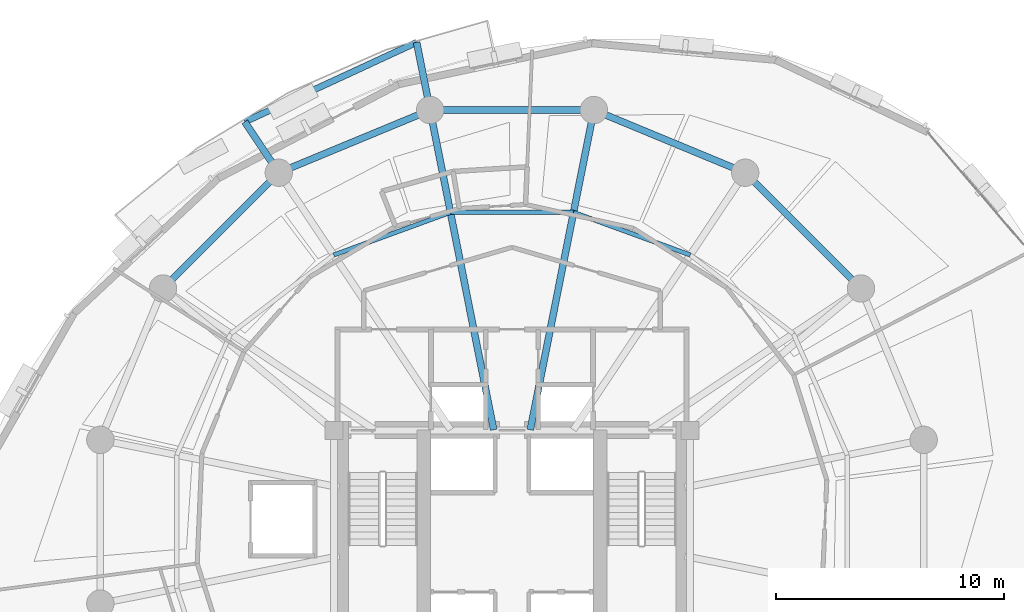
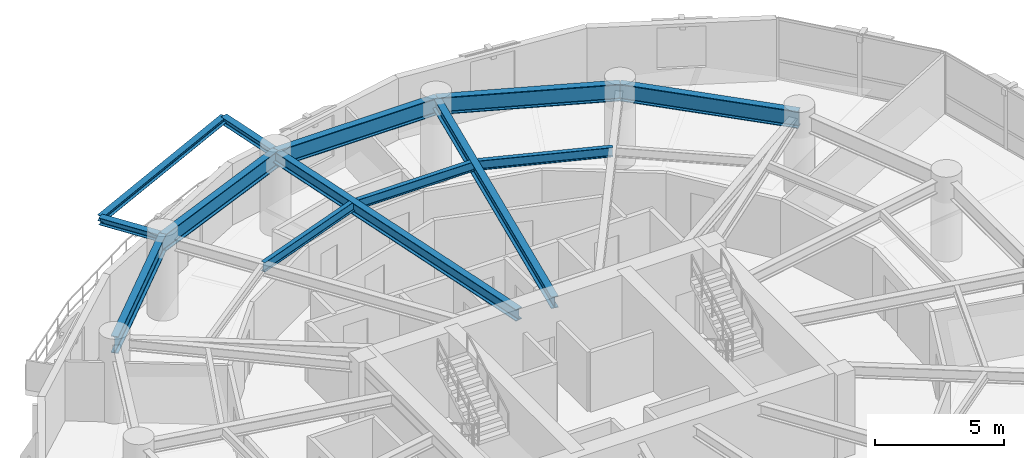
# One storey, part 7 of 14: 13 beams.
"""IFC4 building model written with IfcOpenShell, lengths in metres."""

from ifc_helpers import new_model, si_unit, direction, frame, origin, origin_2d, place, context, subcontext, project, spatial, i_section, extrude, material, material_profile, profile_set, type_object, element, save


model = new_model("IFC4")

# Units and contexts
model_context = context("Model", 3, precision=1e-05, world=origin(), true_north=direction((0.0, 1.0)))
body_context = subcontext(model_context, "Body", "Model", "MODEL_VIEW")
ifc_project = project(units=[si_unit("LENGTHUNIT", "METRE"), si_unit("AREAUNIT", "SQUARE_METRE"), si_unit("VOLUMEUNIT", "CUBIC_METRE"), si_unit("PLANEANGLEUNIT", "RADIAN"), si_unit("MASSUNIT", "GRAM", prefix="KILO"), si_unit("THERMODYNAMICTEMPERATUREUNIT", "KELVIN"), si_unit("POWERUNIT", "WATT")], contexts=[model_context])

# Site, building, storey
site_placement = place(None, origin())
site = spatial("IfcSite", under=ifc_project, at=site_placement, CompositionType="ELEMENT")
building_placement = place(site_placement, origin())
building = spatial("IfcBuilding", under=site, at=building_placement, Name="Ocrelia Relay Tower", CompositionType="ELEMENT")
storey_placement = place(building_placement, frame((0.0, 0.0, 149.800048828125)))
storey = spatial("IfcBuildingStorey", under=building, at=storey_placement, Name="L35", CompositionType="ELEMENT", Elevation=149.800048828125)

# Beams
ifc_material = material(Name="Steel S355", Category="steel")
ifc_material_profile_1 = material_profile(ifc_material, i_section(OverallWidth=0.280029296875, OverallDepth=0.27001953125, WebThickness=0.008056640625, FlangeThickness=0.012939453125, FilletRadius=0.02392578125, at=origin_2d()), Name="HEA 280")
ifc_profile_set_1 = profile_set([ifc_material_profile_1], Name="Steel S355")
beam_type_1 = type_object("IfcBeamType", Name="BM-HEA280", PredefinedType="BEAM", material=ifc_profile_set_1)
beam_1_placement = place(storey_placement, frame((29.820068359375, 47.01416015625, 3.5849609375), z_axis=(-0.907554319669, -0.419934705461, 0.0), x_axis=(0.419934705461, -0.907554319669, 0.0)))
element("IfcBeam", 1, at=beam_1_placement, inside=storey, type_object=beam_type_1, Name="L36 Balcony Edge Trimmer Beam B1", PredefinedType="BEAM", context=body_context, shape_type="SweptSolid", body=[
    extrude(i_section(OverallWidth=0.280029296875, OverallDepth=0.27001953125, WebThickness=0.008056640625, FlangeThickness=0.012939453125, FilletRadius=0.02392578125, at=origin_2d()), origin(), (0.0, 0.0, 1.0), 8.2998046875),
])
ifc_material_profile_2 = material_profile(ifc_material, i_section(OverallWidth=0.300048828125, OverallDepth=0.330078125, WebThickness=0.009521484375, FlangeThickness=0.0166015625, FilletRadius=0.027099609375, at=origin_2d()), Name="HEA 340")
ifc_profile_set_2 = profile_set([ifc_material_profile_2], Name="Steel S355")
beam_type_2 = type_object("IfcBeamType", Name="BM-HEA340", PredefinedType="BEAM", material=ifc_profile_set_2)
beam_2_placement = place(storey_placement, frame((30.410400390625, 44.04638671875, 3.554931640625), z_axis=(-0.195091972221, 0.980784952156, 0.0), x_axis=(-0.980784952156, -0.195091972221, 0.0)))
element("IfcBeam", 2, at=beam_2_placement, inside=storey, type_object=beam_type_2, Name="L36 Balcony Cantilever Beam B1-1", PredefinedType="BEAM", context=body_context, shape_type="SweptSolid", body=[
    extrude(i_section(OverallWidth=0.300048828125, OverallDepth=0.330078125, WebThickness=0.009521484375, FlangeThickness=0.0166015625, FilletRadius=0.027099609375, at=origin_2d()), origin(), (0.0, 0.0, 1.0), 3.02587890625),
])
beam_3_placement = place(storey_placement, frame((23.777587890625, 41.299072265625, 3.554931640625), z_axis=(-0.555603243649, 0.831447554357, 0.0), x_axis=(-0.831447554357, -0.555603243649, 0.0)))
element("IfcBeam", 3, at=beam_3_placement, inside=storey, type_object=beam_type_2, Name="L36 Balcony Cantilever Beam B1-2", PredefinedType="BEAM", context=body_context, shape_type="SweptSolid", body=[
    extrude(i_section(OverallWidth=0.300048828125, OverallDepth=0.330078125, WebThickness=0.009521484375, FlangeThickness=0.0166015625, FilletRadius=0.027099609375, at=origin_2d()), origin(), (0.0, 0.0, 1.0), 2.681640625),
])
ifc_material_profile_3 = material_profile(ifc_material, i_section(OverallWidth=0.300048828125, OverallDepth=0.550048828125, WebThickness=0.014892578125, FlangeThickness=0.029052734375, FilletRadius=0.027099609375, at=origin_2d()), Name="HEB 550")
ifc_profile_set_3 = profile_set([ifc_material_profile_3], Name="Steel S355")
beam_type_3 = type_object("IfcBeamType", Name="BM-HEB550", PredefinedType="BEAM", material=ifc_profile_set_3)
for number, where, z_axis, x_axis, name in (
    (4, (37.589599609375, 44.04638671875, 3.445068359375), (-0.195094300142, -0.980784489096, 0.0), (0.980784489096, -0.195094300142, 0.0), "L35 Radial Floor Girder R04"),
    (5, (30.410400390625, 44.04638671875, 3.445068359375), (0.195094300142, -0.980784489096, 0.0), (0.980784489096, 0.195094300142, 0.0), "L35 Radial Floor Girder R05"),
):
    element("IfcBeam", number, at=place(storey_placement, frame(where, z_axis=z_axis, x_axis=x_axis)), inside=storey, type_object=beam_type_3, Name=name, PredefinedType="BEAM", context=body_context, shape_type="SweptSolid", body=[
        extrude(i_section(OverallWidth=0.300048828125, OverallDepth=0.550048828125, WebThickness=0.014892578125, FlangeThickness=0.029052734375, FilletRadius=0.027099609375, at=origin_2d()), origin(), (0.0, 0.0, 1.0), 14.291015625),
    ])
ifc_material_profile_4 = material_profile(ifc_material, i_section(OverallWidth=0.300048828125, OverallDepth=0.800048828125, WebThickness=0.017578125, FlangeThickness=0.032958984375, FilletRadius=0.030029296875, at=origin_2d()), Name="HEB 800")
ifc_profile_set_4 = profile_set([ifc_material_profile_4], Name="Steel S355")
beam_type_4 = type_object("IfcBeamType", Name="BM-HEB800", PredefinedType="BEAM", material=ifc_profile_set_4)
beam_4_placement = place(storey_placement, frame((49.299072265625, 36.222412109375, 3.320068359375), z_axis=(-0.707106781187, 0.707106781187, 0.0), x_axis=(-0.707106781187, -0.707106781187, 0.0)))
element("IfcBeam", 6, at=beam_4_placement, inside=storey, type_object=beam_type_4, Name="L35 Perimeter Spandrel Beam S02", PredefinedType="BEAM", context=body_context, shape_type="SweptSolid", body=[
    extrude(i_section(OverallWidth=0.300048828125, OverallDepth=0.800048828125, WebThickness=0.017578125, FlangeThickness=0.032958984375, FilletRadius=0.030029296875, at=origin_2d()), origin(), (0.0, 0.0, 1.0), 7.179443359375),
])
for number, where, z_axis, x_axis, name in (
    (7, (44.222412109375, 41.299072265625, 3.320068359375), (-0.923883789366, 0.382673155247, 0.0), (-0.382673155247, -0.923883789366, 0.0), "L35 Perimeter Spandrel Beam S03"),
    (8, (37.589599609375, 44.04638671875, 3.320068359375), (-1.0, 0.0, 0.0), (0.0, -1.0, 0.0), "L35 Perimeter Spandrel Beam S04"),
    (9, (30.410400390625, 44.04638671875, 3.320068359375), (-0.923883789366, -0.382673155247, 0.0), (0.382673155247, -0.923883789366, 0.0), "L35 Perimeter Spandrel Beam S05"),
):
    element("IfcBeam", number, at=place(storey_placement, frame(where, z_axis=z_axis, x_axis=x_axis)), inside=storey, type_object=beam_type_4, Name=name, PredefinedType="BEAM", context=body_context, shape_type="SweptSolid", body=[
        extrude(i_section(OverallWidth=0.300048828125, OverallDepth=0.800048828125, WebThickness=0.017578125, FlangeThickness=0.032958984375, FilletRadius=0.030029296875, at=origin_2d()), origin(), (0.0, 0.0, 1.0), 7.17919921875),
    ])
beam_5_placement = place(storey_placement, frame((23.777587890625, 41.299072265625, 3.320068359375), z_axis=(-0.707106781187, -0.707106781187, 0.0), x_axis=(0.707106781187, -0.707106781187, 0.0)))
element("IfcBeam", 10, at=beam_5_placement, inside=storey, type_object=beam_type_4, Name="L35 Perimeter Spandrel Beam S06", PredefinedType="BEAM", context=body_context, shape_type="SweptSolid", body=[
    extrude(i_section(OverallWidth=0.300048828125, OverallDepth=0.800048828125, WebThickness=0.017578125, FlangeThickness=0.032958984375, FilletRadius=0.030029296875, at=origin_2d()), origin(), (0.0, 0.0, 1.0), 7.179443359375),
])
ifc_material_profile_5 = material_profile(ifc_material, i_section(OverallWidth=0.18994140625, OverallDepth=0.449951171875, WebThickness=0.009521484375, FlangeThickness=0.0146484375, FilletRadius=0.02099609375, at=origin_2d()), Name="IPE 450")
ifc_profile_set_5 = profile_set([ifc_material_profile_5], Name="Steel S355")
beam_type_5 = type_object("IfcBeamType", Name="BM-IPE450", PredefinedType="JOIST", material=ifc_profile_set_5)
beam_6_placement = place(storey_placement, frame((41.81298828125, 37.69287109375, 3.494873046875), z_axis=(-0.93930687927, 0.34307810562, 0.0), x_axis=(-0.34307810562, -0.93930687927, 0.0)))
element("IfcBeam", 11, at=beam_6_placement, inside=storey, type_object=beam_type_5, Name="L35 Secondary Floor Joist J03", PredefinedType="JOIST", context=body_context, shape_type="SweptSolid", body=[
    extrude(i_section(OverallWidth=0.18994140625, OverallDepth=0.449951171875, WebThickness=0.009521484375, FlangeThickness=0.0146484375, FilletRadius=0.02099609375, at=origin_2d()), origin(), (0.0, 0.0, 1.0), 5.446044921875),
])
beam_7_placement = place(storey_placement, frame((36.697509765625, 39.561279296875, 3.494873046875), z_axis=(-1.0, 0.0, 0.0), x_axis=(0.0, -1.0, 0.0)))
element("IfcBeam", 12, at=beam_7_placement, inside=storey, type_object=beam_type_5, Name="L35 Secondary Floor Joist J04", PredefinedType="JOIST", context=body_context, shape_type="SweptSolid", body=[
    extrude(i_section(OverallWidth=0.18994140625, OverallDepth=0.449951171875, WebThickness=0.009521484375, FlangeThickness=0.0146484375, FilletRadius=0.02099609375, at=origin_2d()), origin(), (0.0, 0.0, 1.0), 5.39501953125),
])
beam_8_placement = place(storey_placement, frame((31.302490234375, 39.561279296875, 3.494873046875), z_axis=(-0.93930687927, -0.34307810562, 0.0), x_axis=(0.34307810562, -0.93930687927, 0.0)))
element("IfcBeam", 13, at=beam_8_placement, inside=storey, type_object=beam_type_5, Name="L35 Secondary Floor Joist J05", PredefinedType="JOIST", context=body_context, shape_type="SweptSolid", body=[
    extrude(i_section(OverallWidth=0.18994140625, OverallDepth=0.449951171875, WebThickness=0.009521484375, FlangeThickness=0.0146484375, FilletRadius=0.02099609375, at=origin_2d()), origin(), (0.0, 0.0, 1.0), 5.446044921875),
])

save(model, "model.ifc")
